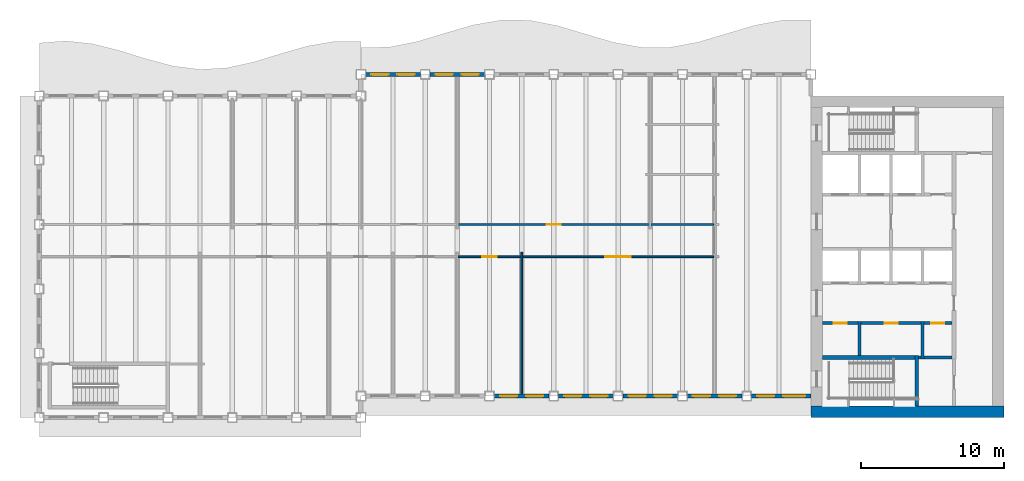
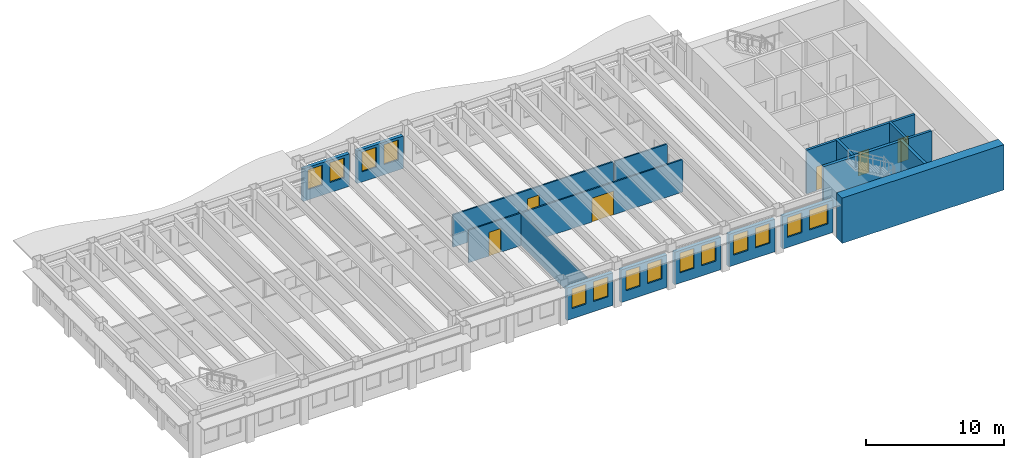
# One storey, part 4 of 12: 22 walls, 14 windows, 6 doors, 20 openings.
"""IFC4 building model written with IfcOpenShell, lengths in metres."""

from ifc_helpers import new_model, si_unit, direction, frame, frame_2d, origin, place, context, subcontext, project, spatial, rectangle, extrude, material, layer, layer_set, type_object, element, fill, save


model = new_model("IFC4")

# Units and contexts
model_context = context("Model", 3, precision=1e-05, world=origin(), true_north=direction((0.0, 1.0)))
body_context = subcontext(model_context, "Body", "Model", "MODEL_VIEW")
ifc_project = project(units=[si_unit("LENGTHUNIT", "METRE"), si_unit("AREAUNIT", "SQUARE_METRE"), si_unit("VOLUMEUNIT", "CUBIC_METRE"), si_unit("PLANEANGLEUNIT", "RADIAN"), si_unit("MASSUNIT", "GRAM", prefix="KILO")], contexts=[model_context])

# Site, building, storey
site_placement = place(None, origin())
site = spatial("IfcSite", under=ifc_project, at=site_placement, CompositionType="ELEMENT")
building_placement = place(site_placement, origin())
building = spatial("IfcBuilding", under=site, at=building_placement, Name="Sennacour Bend Tower", CompositionType="ELEMENT")
storey_placement = place(building_placement, frame((0.0, 0.0, 265.0)))
storey = spatial("IfcBuildingStorey", under=building, at=storey_placement, Name="L61", CompositionType="ELEMENT", Elevation=265.0)

# Walls
ifc_material_1 = material(Name="Concrete C50/60", Category="concrete")
ifc_layer_1 = layer(ifc_material_1, 0.800048828125, Name="Concrete C50/60", Category="concrete")
ifc_layer_set_1 = layer_set([ifc_layer_1], Name="Concrete C50/60")
wall_type_1 = type_object("IfcWallType", Name="Core wall 800 C50/60", PredefinedType="SHEAR", material=ifc_layer_set_1)
wall_1_placement = place(storey_placement, frame((67.5, 0.39990234375, -0.14990234375), z_axis=(0.0, 0.0, 1.0), x_axis=(-1.0, 0.0, 0.0)))
element("IfcWall", 1, at=wall_1_placement, inside=storey, type_object=wall_type_1, Name="Core A wall L61 S", PredefinedType="SHEAR", context=body_context, shape_type="SweptSolid", body=[
    extrude(rectangle(XDim=13.5, YDim=0.800048828125, at=frame_2d((6.75, 0.0))), origin(), (0.0, 0.0, 1.0), 4.0),
])
ifc_material_2 = material(Name="Plasterboard partition on steel studs", Category="steel")
ifc_layer_2 = layer(ifc_material_2, 0.1201171875, Name="Plasterboard partition on steel studs", Category="steel")
ifc_layer_set_2 = layer_set([ifc_layer_2], Name="Plasterboard partition on steel studs")
wall_type_2 = type_object("IfcWallType", Name="Partition 120", PredefinedType="PARTITIONING", material=ifc_layer_set_2)
wall_2_placement = place(storey_placement, frame((33.75, 1.64990234375, 0.0), z_axis=(0.0, 0.0, 1.0), x_axis=(0.0, 1.0, 0.0)))
element("IfcWall", 2, at=wall_2_placement, inside=storey, type_object=wall_type_2, Name="P-L61-W012a", PredefinedType="PARTITIONING", context=body_context, shape_type="SweptSolid", body=[
    extrude(rectangle(XDim=9.900146484375, YDim=0.1201171875, at=frame_2d((4.9501953125, 0.0))), origin(), (0.0, 0.0, 1.0), 2.8701171875),
])

# Wall, opening, door
wall_3_placement = place(storey_placement, frame((29.31005859375, 11.25, 0.0), z_axis=(0.0, 0.0, 1.0), x_axis=(1.0, 0.0, 0.0)))
wall_3 = element("IfcWall", 3, at=wall_3_placement, inside=storey, type_object=wall_type_2, Name="P-L61-W039ae", PredefinedType="PARTITIONING", context=body_context, shape_type="SweptSolid", body=[
    extrude(rectangle(XDim=4.3798828125, YDim=0.1201171875, at=frame_2d((2.18994140625, 0.0))), origin(), (0.0, 0.0, 1.0), 2.8701171875),
])
opening_1_placement = place(wall_3_placement, frame((1.68994140625, 0.0, 0.0)))
opening_1 = element("IfcOpeningElement", 4, at=opening_1_placement, cuts=wall_3, Name="Opening OD2", PredefinedType="OPENING", context=body_context, shape_type="SweptSolid", body=[
    extrude(rectangle(XDim=1.0, YDim=2.10009765625, at=frame_2d((0.5, 1.050048828125))), frame((0.0, 0.070068359375, 0.0), z_axis=(0.0, -1.0, 0.0), x_axis=(1.0, 0.0, 0.0)), (0.0, 0.0, 1.0), 0.14013671875),
])
ifc_material_3 = material(Name="Timber", Category="wood")
door_type_1 = type_object("IfcDoorType", Name="DR-OFFICE-1000", OperationType="NOTDEFINED", PredefinedType="DOOR", material=ifc_material_3)
door_1_placement = place(opening_1_placement, origin())
door_1 = element("IfcDoor", 5, at=door_1_placement, inside=storey, type_object=door_type_1, Name="Door", OperationType="SINGLE_SWING_LEFT", OverallHeight=2.10009765625, OverallWidth=1.0, PredefinedType="DOOR", context=body_context, shape_type="SweptSolid", body=[
    extrude(rectangle(XDim=1.0, YDim=2.10009765625, at=frame_2d((0.5, 1.050048828125))), frame((0.0, 0.02490234375, 0.0), z_axis=(0.0, -1.0, 0.0), x_axis=(1.0, 0.0, 0.0)), (0.0, 0.0, 1.0), 0.050048828125),
])
fill(opening_1, door_1)

wall_4_placement = place(storey_placement, frame((33.81005859375, 11.25, 0.0), z_axis=(0.0, 0.0, 1.0), x_axis=(1.0, 0.0, 0.0)))
wall_4 = element("IfcWall", 6, at=wall_4_placement, inside=storey, type_object=wall_type_2, Name="P-L61-W039af", PredefinedType="PARTITIONING", context=body_context, shape_type="SweptSolid", body=[
    extrude(rectangle(XDim=13.3798828125, YDim=0.1201171875, at=frame_2d((6.68994140625, 0.0))), origin(), (0.0, 0.0, 1.0), 2.8701171875),
])
opening_2_placement = place(wall_4_placement, frame((5.789794921875, 0.0, 0.0)))
opening_2 = element("IfcOpeningElement", 7, at=opening_2_placement, cuts=wall_4, Name="Opening OD3", PredefinedType="OPENING", context=body_context, shape_type="SweptSolid", body=[
    extrude(rectangle(XDim=1.800048828125, YDim=2.10009765625, at=frame_2d((0.89990234375, 1.050048828125))), frame((0.0, 0.070068359375, 0.0), z_axis=(0.0, -1.0, 0.0), x_axis=(1.0, 0.0, 0.0)), (0.0, 0.0, 1.0), 0.14013671875),
])
door_type_2 = type_object("IfcDoorType", Name="DR-OFFICE-1800", OperationType="NOTDEFINED", PredefinedType="DOOR", material=ifc_material_3)
door_2_placement = place(opening_2_placement, origin())
door_2 = element("IfcDoor", 8, at=door_2_placement, inside=storey, type_object=door_type_2, Name="Door", OperationType="DOUBLE_DOOR_SINGLE_SWING", OverallHeight=2.10009765625, OverallWidth=1.800048828125, PredefinedType="DOOR", context=body_context, shape_type="SweptSolid", body=[
    extrude(rectangle(XDim=1.800048828125, YDim=2.10009765625, at=frame_2d((0.89990234375, 1.050048828125))), frame((0.0, 0.02490234375, 0.0), z_axis=(0.0, -1.0, 0.0), x_axis=(1.0, 0.0, 0.0)), (0.0, 0.0, 1.0), 0.050048828125),
])
fill(opening_2, door_2)

wall_5_placement = place(storey_placement, frame((29.31005859375, 13.5, 0.0), z_axis=(0.0, 0.0, 1.0), x_axis=(1.0, 0.0, 0.0)))
wall_5 = element("IfcWall", 9, at=wall_5_placement, inside=storey, type_object=wall_type_2, Name="P-L61-W041ae", PredefinedType="PARTITIONING", context=body_context, shape_type="SweptSolid", body=[
    extrude(rectangle(XDim=13.3798828125, YDim=0.1201171875, at=frame_2d((6.68994140625, 0.0))), origin(), (0.0, 0.0, 1.0), 2.8701171875),
])
opening_3_placement = place(wall_5_placement, frame((6.18994140625, 0.0, 0.0)))
opening_3 = element("IfcOpeningElement", 10, at=opening_3_placement, cuts=wall_5, Name="Opening OD2", PredefinedType="OPENING", context=body_context, shape_type="SweptSolid", body=[
    extrude(rectangle(XDim=1.0, YDim=2.10009765625, at=frame_2d((0.5, 1.050048828125))), frame((0.0, 0.070068359375, 0.0), z_axis=(0.0, -1.0, 0.0), x_axis=(1.0, 0.0, 0.0)), (0.0, 0.0, 1.0), 0.14013671875),
])
door_3_placement = place(opening_3_placement, origin())
door_3 = element("IfcDoor", 11, at=door_3_placement, inside=storey, type_object=door_type_1, Name="Door", OperationType="SINGLE_SWING_LEFT", OverallHeight=2.10009765625, OverallWidth=1.0, PredefinedType="DOOR", context=body_context, shape_type="SweptSolid", body=[
    extrude(rectangle(XDim=1.0, YDim=2.10009765625, at=frame_2d((0.5, 1.050048828125))), frame((0.0, 0.02490234375, 0.0), z_axis=(0.0, -1.0, 0.0), x_axis=(1.0, 0.0, 0.0)), (0.0, 0.0, 1.0), 0.050048828125),
])
fill(opening_3, door_3)

# Walls
wall_6_placement = place(storey_placement, frame((42.81005859375, 13.5, 0.0), z_axis=(0.0, 0.0, 1.0), x_axis=(1.0, 0.0, 0.0)))
element("IfcWall", 12, at=wall_6_placement, inside=storey, type_object=wall_type_2, Name="P-L61-W041af", PredefinedType="PARTITIONING", context=body_context, shape_type="SweptSolid", body=[
    extrude(rectangle(XDim=4.3798828125, YDim=0.1201171875, at=frame_2d((2.18994140625, 0.0))), origin(), (0.0, 0.0, 1.0), 2.8701171875),
])
ifc_material_4 = material(Name="Fire-rated plasterboard partition on steel studs", Category="steel")
ifc_layer_3 = layer(ifc_material_4, 0.199951171875, Name="Fire-rated plasterboard partition on steel studs", Category="steel")
ifc_layer_set_3 = layer_set([ifc_layer_3], Name="Fire-rated plasterboard partition on steel studs")
wall_type_3 = type_object("IfcWallType", Name="Rated partition 200", PredefinedType="PARTITIONING", material=ifc_layer_set_3)
wall_7_placement = place(storey_placement, frame((57.39990234375, 4.324951171875, 0.0), z_axis=(0.0, 0.0, 1.0), x_axis=(0.0, 1.0, 0.0)))
element("IfcWall", 13, at=wall_7_placement, inside=storey, type_object=wall_type_3, Name="P-L61-W016", PredefinedType="PARTITIONING", context=body_context, shape_type="SweptSolid", body=[
    extrude(rectangle(XDim=2.375, YDim=0.199951171875, at=frame_2d((1.1875, 0.0))), origin(), (0.0, 0.0, 1.0), 3.85009765625),
])
wall_8_placement = place(storey_placement, frame((61.800048828125, 4.10009765625, 0.0), z_axis=(0.0, 0.0, 1.0), x_axis=(0.0, 1.0, 0.0)))
element("IfcWall", 14, at=wall_8_placement, inside=storey, type_object=wall_type_3, Name="P-L61-W024", PredefinedType="PARTITIONING", context=body_context, shape_type="SweptSolid", body=[
    extrude(rectangle(XDim=2.599853515625, YDim=0.199951171875, at=frame_2d((1.2998046875, 0.0))), origin(), (0.0, 0.0, 1.0), 3.85009765625),
])
wall_9_placement = place(storey_placement, frame((61.52490234375, 4.199951171875, 0.0), z_axis=(0.0, 0.0, 1.0), x_axis=(1.0, 0.0, 0.0)))
element("IfcWall", 15, at=wall_9_placement, inside=storey, type_object=wall_type_3, Name="P-L61-W036a", PredefinedType="PARTITIONING", context=body_context, shape_type="SweptSolid", body=[
    extrude(rectangle(XDim=0.175048828125, YDim=0.199951171875, at=frame_2d((0.08740234375, 0.0))), origin(), (0.0, 0.0, 1.0), 3.85009765625),
])
wall_10_placement = place(storey_placement, frame((61.89990234375, 4.199951171875, 0.0), z_axis=(0.0, 0.0, 1.0), x_axis=(1.0, 0.0, 0.0)))
element("IfcWall", 16, at=wall_10_placement, inside=storey, type_object=wall_type_3, Name="P-L61-W036b", PredefinedType="PARTITIONING", context=body_context, shape_type="SweptSolid", body=[
    extrude(rectangle(XDim=1.9501953125, YDim=0.199951171875, at=frame_2d((0.97509765625, 0.0))), origin(), (0.0, 0.0, 1.0), 3.85009765625),
])

# Wall, opening, door
wall_11_placement = place(storey_placement, frame((54.800048828125, 6.60009765625, 0.0), z_axis=(0.0, 0.0, 1.0), x_axis=(1.0, 0.0, 0.0)))
wall_11 = element("IfcWall", 17, at=wall_11_placement, inside=storey, type_object=wall_type_3, Name="P-L61-W037a", PredefinedType="PARTITIONING", context=body_context, shape_type="SweptSolid", body=[
    extrude(rectangle(XDim=2.5, YDim=0.199951171875, at=frame_2d((1.25, 0.0))), origin(), (0.0, 0.0, 1.0), 3.85009765625),
])
opening_4_placement = place(wall_11_placement, frame((0.800048828125, 0.0, 0.0)))
opening_4 = element("IfcOpeningElement", 18, at=opening_4_placement, cuts=wall_11, Name="Opening SV", PredefinedType="OPENING", context=body_context, shape_type="SweptSolid", body=[
    extrude(rectangle(XDim=0.89990234375, YDim=2.10009765625, at=frame_2d((0.449951171875, 1.050048828125))), frame((0.0, 0.10986328125, 0.0), z_axis=(0.0, -1.0, 0.0), x_axis=(1.0, 0.0, 0.0)), (0.0, 0.0, 1.0), 0.219970703125),
])
ifc_material_5 = material(Name="Painted steel", Category="steel")
door_type_3 = type_object("IfcDoorType", Name="DR-SERVICE-900", OperationType="NOTDEFINED", PredefinedType="DOOR", material=ifc_material_5)
door_4_placement = place(opening_4_placement, origin())
door_4 = element("IfcDoor", 19, at=door_4_placement, inside=storey, type_object=door_type_3, Name="Door", OperationType="SINGLE_SWING_LEFT", OverallHeight=2.10009765625, OverallWidth=0.89990234375, PredefinedType="DOOR", context=body_context, shape_type="SweptSolid", body=[
    extrude(rectangle(XDim=0.89990234375, YDim=2.10009765625, at=frame_2d((0.449951171875, 1.050048828125))), frame((0.0, 0.02490234375, 0.0), z_axis=(0.0, -1.0, 0.0), x_axis=(1.0, 0.0, 0.0)), (0.0, 0.0, 1.0), 0.050048828125),
])
fill(opening_4, door_4)

wall_12_placement = place(storey_placement, frame((57.5, 6.60009765625, 0.0), z_axis=(0.0, 0.0, 1.0), x_axis=(1.0, 0.0, 0.0)))
wall_12 = element("IfcWall", 20, at=wall_12_placement, inside=storey, type_object=wall_type_3, Name="P-L61-W037b", PredefinedType="PARTITIONING", context=body_context, shape_type="SweptSolid", body=[
    extrude(rectangle(XDim=4.199951171875, YDim=0.199951171875, at=frame_2d((2.10009765625, 0.0))), origin(), (0.0, 0.0, 1.0), 3.85009765625),
])
opening_5_placement = place(wall_12_placement, frame((1.64990234375, 0.0, 0.0)))
opening_5 = element("IfcOpeningElement", 21, at=opening_5_placement, cuts=wall_12, Name="Opening WD", PredefinedType="OPENING", context=body_context, shape_type="SweptSolid", body=[
    extrude(rectangle(XDim=0.89990234375, YDim=2.10009765625, at=frame_2d((0.449951171875, 1.050048828125))), frame((0.0, 0.10986328125, 0.0), z_axis=(0.0, -1.0, 0.0), x_axis=(1.0, 0.0, 0.0)), (0.0, 0.0, 1.0), 0.219970703125),
])
door_type_4 = type_object("IfcDoorType", Name="DR-WC-900", OperationType="NOTDEFINED", PredefinedType="DOOR", material=ifc_material_3)
door_5_placement = place(opening_5_placement, origin())
door_5 = element("IfcDoor", 22, at=door_5_placement, inside=storey, type_object=door_type_4, Name="Door", OperationType="SINGLE_SWING_RIGHT", OverallHeight=2.10009765625, OverallWidth=0.89990234375, PredefinedType="DOOR", context=body_context, shape_type="SweptSolid", body=[
    extrude(rectangle(XDim=0.89990234375, YDim=2.10009765625, at=frame_2d((0.449951171875, 1.050048828125))), frame((0.0, 0.02490234375, 0.0), z_axis=(0.0, -1.0, 0.0), x_axis=(1.0, 0.0, 0.0)), (0.0, 0.0, 1.0), 0.050048828125),
])
fill(opening_5, door_5)

wall_13_placement = place(storey_placement, frame((61.89990234375, 6.60009765625, 0.0), z_axis=(0.0, 0.0, 1.0), x_axis=(1.0, 0.0, 0.0)))
wall_13 = element("IfcWall", 23, at=wall_13_placement, inside=storey, type_object=wall_type_3, Name="P-L61-W037c", PredefinedType="PARTITIONING", context=body_context, shape_type="SweptSolid", body=[
    extrude(rectangle(XDim=1.9501953125, YDim=0.199951171875, at=frame_2d((0.97509765625, 0.0))), origin(), (0.0, 0.0, 1.0), 3.85009765625),
])
opening_6_placement = place(wall_13_placement, frame((0.525146484375, 0.0, 0.0)))
opening_6 = element("IfcOpeningElement", 24, at=opening_6_placement, cuts=wall_13, Name="Opening SV", PredefinedType="OPENING", context=body_context, shape_type="SweptSolid", body=[
    extrude(rectangle(XDim=0.89990234375, YDim=2.10009765625, at=frame_2d((0.449951171875, 1.050048828125))), frame((0.0, 0.10986328125, 0.0), z_axis=(0.0, -1.0, 0.0), x_axis=(1.0, 0.0, 0.0)), (0.0, 0.0, 1.0), 0.219970703125),
])
door_6_placement = place(opening_6_placement, origin())
door_6 = element("IfcDoor", 25, at=door_6_placement, inside=storey, type_object=door_type_3, Name="Door", OperationType="SINGLE_SWING_LEFT", OverallHeight=2.10009765625, OverallWidth=0.89990234375, PredefinedType="DOOR", context=body_context, shape_type="SweptSolid", body=[
    extrude(rectangle(XDim=0.89990234375, YDim=2.10009765625, at=frame_2d((0.449951171875, 1.050048828125))), frame((0.0, 0.02490234375, 0.0), z_axis=(0.0, -1.0, 0.0), x_axis=(1.0, 0.0, 0.0)), (0.0, 0.0, 1.0), 0.050048828125),
])
fill(opening_6, door_6)

# Wall, openings, windows
ifc_material_6 = material(Name="Warm limestone cladding", Category="masonry")
ifc_layer_4 = layer(ifc_material_6, 0.050048828125, Name="Warm limestone cladding", Category="masonry")
ifc_material_7 = material(Name="Precast concrete C40/50", Category="concrete")
ifc_layer_5 = layer(ifc_material_7, 0.25, Name="Precast concrete C40/50", Category="concrete")
ifc_layer_set_4 = layer_set([ifc_layer_4, ifc_layer_5], Name="Precast concrete C40/50 with limestone cladding")
wall_type_4 = type_object("IfcWallType", Name="STONE-CLAD PRECAST SPANDREL 300", PredefinedType="STANDARD", material=ifc_layer_set_4)
wall_14_placement = place(storey_placement, frame((31.824951171875, 1.5, 0.0), z_axis=(0.0, 0.0, 1.0), x_axis=(1.0, 0.0, 0.0)))
wall_14 = element("IfcWall", 26, at=wall_14_placement, inside=storey, type_object=wall_type_4, Name="Stone spandrel and pier wall L61 01.02", PredefinedType="STANDARD", context=body_context, shape_type="SweptSolid", body=[
    extrude(rectangle(XDim=3.85009765625, YDim=0.300048828125, at=frame_2d((1.925048828125, 0.0))), origin(), (0.0, 0.0, 1.0), 2.8701171875),
])
opening_7_placement = place(wall_14_placement, frame((0.41259765625, 0.0, 0.89990234375)))
opening_7 = element("IfcOpeningElement", 27, at=opening_7_placement, cuts=wall_14, Name="Opening W16", PredefinedType="OPENING", context=body_context, shape_type="SweptSolid", body=[
    extrude(rectangle(XDim=1.199951171875, YDim=1.75, at=frame_2d((0.60009765625, 0.875))), frame((0.0, 0.16015625, 0.0), z_axis=(0.0, -1.0, 0.0), x_axis=(1.0, 0.0, 0.0)), (0.0, 0.0, 1.0), 0.320068359375),
])
opening_8_placement = place(wall_14_placement, frame((2.237548828125, 0.0, 0.89990234375)))
opening_8 = element("IfcOpeningElement", 28, at=opening_8_placement, cuts=wall_14, Name="Opening W16", PredefinedType="OPENING", context=body_context, shape_type="SweptSolid", body=[
    extrude(rectangle(XDim=1.199951171875, YDim=1.75, at=frame_2d((0.60009765625, 0.875))), frame((0.0, 0.16015625, 0.0), z_axis=(0.0, -1.0, 0.0), x_axis=(1.0, 0.0, 0.0)), (0.0, 0.0, 1.0), 0.320068359375),
])
ifc_material_8 = material(Name="Clear low-emissivity glass", Category="glass")
window_type_1 = type_object("IfcWindowType", Name="WIN-RIBBON-1200x1750", PartitioningType="SINGLE_PANEL", PredefinedType="WINDOW", material=ifc_material_8)
window_1_placement = place(opening_7_placement, origin())
window_1 = element("IfcWindow", 29, at=window_1_placement, inside=storey, type_object=window_type_1, Name="Ribbon window L61 01.02.0", OverallHeight=1.75, OverallWidth=1.199951171875, PartitioningType="SINGLE_PANEL", PredefinedType="WINDOW", context=body_context, shape_type="SweptSolid", body=[
    extrude(rectangle(XDim=1.199951171875, YDim=1.75, at=frame_2d((0.60009765625, 0.875))), frame((0.0, 0.030029296875, 0.0), z_axis=(0.0, -1.0, 0.0), x_axis=(1.0, 0.0, 0.0)), (0.0, 0.0, 1.0), 0.06005859375),
])
fill(opening_7, window_1)
window_2_placement = place(opening_8_placement, origin())
window_2 = element("IfcWindow", 30, at=window_2_placement, inside=storey, type_object=window_type_1, Name="Ribbon window L61 01.02.1", OverallHeight=1.75, OverallWidth=1.199951171875, PartitioningType="SINGLE_PANEL", PredefinedType="WINDOW", context=body_context, shape_type="SweptSolid", body=[
    extrude(rectangle(XDim=1.199951171875, YDim=1.75, at=frame_2d((0.60009765625, 0.875))), frame((0.0, 0.030029296875, 0.0), z_axis=(0.0, -1.0, 0.0), x_axis=(1.0, 0.0, 0.0)), (0.0, 0.0, 1.0), 0.06005859375),
])
fill(opening_8, window_2)

wall_15_placement = place(storey_placement, frame((36.324951171875, 1.5, 0.0), z_axis=(0.0, 0.0, 1.0), x_axis=(1.0, 0.0, 0.0)))
wall_15 = element("IfcWall", 31, at=wall_15_placement, inside=storey, type_object=wall_type_4, Name="Stone spandrel and pier wall L61 01.03", PredefinedType="STANDARD", context=body_context, shape_type="SweptSolid", body=[
    extrude(rectangle(XDim=3.85009765625, YDim=0.300048828125, at=frame_2d((1.925048828125, 0.0))), origin(), (0.0, 0.0, 1.0), 2.8701171875),
])
opening_9_placement = place(wall_15_placement, frame((0.41259765625, 0.0, 0.89990234375)))
opening_9 = element("IfcOpeningElement", 32, at=opening_9_placement, cuts=wall_15, Name="Opening W16", PredefinedType="OPENING", context=body_context, shape_type="SweptSolid", body=[
    extrude(rectangle(XDim=1.199951171875, YDim=1.75, at=frame_2d((0.60009765625, 0.875))), frame((0.0, 0.16015625, 0.0), z_axis=(0.0, -1.0, 0.0), x_axis=(1.0, 0.0, 0.0)), (0.0, 0.0, 1.0), 0.320068359375),
])
opening_10_placement = place(wall_15_placement, frame((2.237548828125, 0.0, 0.89990234375)))
opening_10 = element("IfcOpeningElement", 33, at=opening_10_placement, cuts=wall_15, Name="Opening W16", PredefinedType="OPENING", context=body_context, shape_type="SweptSolid", body=[
    extrude(rectangle(XDim=1.199951171875, YDim=1.75, at=frame_2d((0.60009765625, 0.875))), frame((0.0, 0.16015625, 0.0), z_axis=(0.0, -1.0, 0.0), x_axis=(1.0, 0.0, 0.0)), (0.0, 0.0, 1.0), 0.320068359375),
])
window_3_placement = place(opening_9_placement, origin())
window_3 = element("IfcWindow", 34, at=window_3_placement, inside=storey, type_object=window_type_1, Name="Ribbon window L61 01.03.0", OverallHeight=1.75, OverallWidth=1.199951171875, PartitioningType="SINGLE_PANEL", PredefinedType="WINDOW", context=body_context, shape_type="SweptSolid", body=[
    extrude(rectangle(XDim=1.199951171875, YDim=1.75, at=frame_2d((0.60009765625, 0.875))), frame((0.0, 0.030029296875, 0.0), z_axis=(0.0, -1.0, 0.0), x_axis=(1.0, 0.0, 0.0)), (0.0, 0.0, 1.0), 0.06005859375),
])
fill(opening_9, window_3)
window_4_placement = place(opening_10_placement, origin())
window_4 = element("IfcWindow", 35, at=window_4_placement, inside=storey, type_object=window_type_1, Name="Ribbon window L61 01.03.1", OverallHeight=1.75, OverallWidth=1.199951171875, PartitioningType="SINGLE_PANEL", PredefinedType="WINDOW", context=body_context, shape_type="SweptSolid", body=[
    extrude(rectangle(XDim=1.199951171875, YDim=1.75, at=frame_2d((0.60009765625, 0.875))), frame((0.0, 0.030029296875, 0.0), z_axis=(0.0, -1.0, 0.0), x_axis=(1.0, 0.0, 0.0)), (0.0, 0.0, 1.0), 0.06005859375),
])
fill(opening_10, window_4)

wall_16_placement = place(storey_placement, frame((40.824951171875, 1.5, 0.0), z_axis=(0.0, 0.0, 1.0), x_axis=(1.0, 0.0, 0.0)))
wall_16 = element("IfcWall", 36, at=wall_16_placement, inside=storey, type_object=wall_type_4, Name="Stone spandrel and pier wall L61 01.04", PredefinedType="STANDARD", context=body_context, shape_type="SweptSolid", body=[
    extrude(rectangle(XDim=3.85009765625, YDim=0.300048828125, at=frame_2d((1.925048828125, 0.0))), origin(), (0.0, 0.0, 1.0), 2.8701171875),
])
opening_11_placement = place(wall_16_placement, frame((0.41259765625, 0.0, 0.89990234375)))
opening_11 = element("IfcOpeningElement", 37, at=opening_11_placement, cuts=wall_16, Name="Opening W16", PredefinedType="OPENING", context=body_context, shape_type="SweptSolid", body=[
    extrude(rectangle(XDim=1.199951171875, YDim=1.75, at=frame_2d((0.60009765625, 0.875))), frame((0.0, 0.16015625, 0.0), z_axis=(0.0, -1.0, 0.0), x_axis=(1.0, 0.0, 0.0)), (0.0, 0.0, 1.0), 0.320068359375),
])
opening_12_placement = place(wall_16_placement, frame((2.237548828125, 0.0, 0.89990234375)))
opening_12 = element("IfcOpeningElement", 38, at=opening_12_placement, cuts=wall_16, Name="Opening W16", PredefinedType="OPENING", context=body_context, shape_type="SweptSolid", body=[
    extrude(rectangle(XDim=1.199951171875, YDim=1.75, at=frame_2d((0.60009765625, 0.875))), frame((0.0, 0.16015625, 0.0), z_axis=(0.0, -1.0, 0.0), x_axis=(1.0, 0.0, 0.0)), (0.0, 0.0, 1.0), 0.320068359375),
])
window_5_placement = place(opening_11_placement, origin())
window_5 = element("IfcWindow", 39, at=window_5_placement, inside=storey, type_object=window_type_1, Name="Ribbon window L61 01.04.0", OverallHeight=1.75, OverallWidth=1.199951171875, PartitioningType="SINGLE_PANEL", PredefinedType="WINDOW", context=body_context, shape_type="SweptSolid", body=[
    extrude(rectangle(XDim=1.199951171875, YDim=1.75, at=frame_2d((0.60009765625, 0.875))), frame((0.0, 0.030029296875, 0.0), z_axis=(0.0, -1.0, 0.0), x_axis=(1.0, 0.0, 0.0)), (0.0, 0.0, 1.0), 0.06005859375),
])
fill(opening_11, window_5)
window_6_placement = place(opening_12_placement, origin())
window_6 = element("IfcWindow", 40, at=window_6_placement, inside=storey, type_object=window_type_1, Name="Ribbon window L61 01.04.1", OverallHeight=1.75, OverallWidth=1.199951171875, PartitioningType="SINGLE_PANEL", PredefinedType="WINDOW", context=body_context, shape_type="SweptSolid", body=[
    extrude(rectangle(XDim=1.199951171875, YDim=1.75, at=frame_2d((0.60009765625, 0.875))), frame((0.0, 0.030029296875, 0.0), z_axis=(0.0, -1.0, 0.0), x_axis=(1.0, 0.0, 0.0)), (0.0, 0.0, 1.0), 0.06005859375),
])
fill(opening_12, window_6)

wall_17_placement = place(storey_placement, frame((45.324951171875, 1.5, 0.0), z_axis=(0.0, 0.0, 1.0), x_axis=(1.0, 0.0, 0.0)))
wall_17 = element("IfcWall", 41, at=wall_17_placement, inside=storey, type_object=wall_type_4, Name="Stone spandrel and pier wall L61 01.05", PredefinedType="STANDARD", context=body_context, shape_type="SweptSolid", body=[
    extrude(rectangle(XDim=3.85009765625, YDim=0.300048828125, at=frame_2d((1.925048828125, 0.0))), origin(), (0.0, 0.0, 1.0), 2.8701171875),
])
opening_13_placement = place(wall_17_placement, frame((0.41259765625, 0.0, 0.89990234375)))
opening_13 = element("IfcOpeningElement", 42, at=opening_13_placement, cuts=wall_17, Name="Opening W16", PredefinedType="OPENING", context=body_context, shape_type="SweptSolid", body=[
    extrude(rectangle(XDim=1.199951171875, YDim=1.75, at=frame_2d((0.60009765625, 0.875))), frame((0.0, 0.16015625, 0.0), z_axis=(0.0, -1.0, 0.0), x_axis=(1.0, 0.0, 0.0)), (0.0, 0.0, 1.0), 0.320068359375),
])
opening_14_placement = place(wall_17_placement, frame((2.237548828125, 0.0, 0.89990234375)))
opening_14 = element("IfcOpeningElement", 43, at=opening_14_placement, cuts=wall_17, Name="Opening W16", PredefinedType="OPENING", context=body_context, shape_type="SweptSolid", body=[
    extrude(rectangle(XDim=1.199951171875, YDim=1.75, at=frame_2d((0.60009765625, 0.875))), frame((0.0, 0.16015625, 0.0), z_axis=(0.0, -1.0, 0.0), x_axis=(1.0, 0.0, 0.0)), (0.0, 0.0, 1.0), 0.320068359375),
])
window_7_placement = place(opening_13_placement, origin())
window_7 = element("IfcWindow", 44, at=window_7_placement, inside=storey, type_object=window_type_1, Name="Ribbon window L61 01.05.0", OverallHeight=1.75, OverallWidth=1.199951171875, PartitioningType="SINGLE_PANEL", PredefinedType="WINDOW", context=body_context, shape_type="SweptSolid", body=[
    extrude(rectangle(XDim=1.199951171875, YDim=1.75, at=frame_2d((0.60009765625, 0.875))), frame((0.0, 0.030029296875, 0.0), z_axis=(0.0, -1.0, 0.0), x_axis=(1.0, 0.0, 0.0)), (0.0, 0.0, 1.0), 0.06005859375),
])
fill(opening_13, window_7)
window_8_placement = place(opening_14_placement, origin())
window_8 = element("IfcWindow", 45, at=window_8_placement, inside=storey, type_object=window_type_1, Name="Ribbon window L61 01.05.1", OverallHeight=1.75, OverallWidth=1.199951171875, PartitioningType="SINGLE_PANEL", PredefinedType="WINDOW", context=body_context, shape_type="SweptSolid", body=[
    extrude(rectangle(XDim=1.199951171875, YDim=1.75, at=frame_2d((0.60009765625, 0.875))), frame((0.0, 0.030029296875, 0.0), z_axis=(0.0, -1.0, 0.0), x_axis=(1.0, 0.0, 0.0)), (0.0, 0.0, 1.0), 0.06005859375),
])
fill(opening_14, window_8)

wall_18_placement = place(storey_placement, frame((49.824951171875, 1.5, 0.0), z_axis=(0.0, 0.0, 1.0), x_axis=(1.0, 0.0, 0.0)))
wall_18 = element("IfcWall", 46, at=wall_18_placement, inside=storey, type_object=wall_type_4, Name="Stone spandrel and pier wall L61 01.06", PredefinedType="STANDARD", context=body_context, shape_type="SweptSolid", body=[
    extrude(rectangle(XDim=4.175048828125, YDim=0.300048828125, at=frame_2d((2.08740234375, 0.0))), origin(), (0.0, 0.0, 1.0), 2.8701171875),
])
opening_15_placement = place(wall_18_placement, frame((0.41259765625, 0.0, 0.89990234375)))
opening_15 = element("IfcOpeningElement", 47, at=opening_15_placement, cuts=wall_18, Name="Opening W16", PredefinedType="OPENING", context=body_context, shape_type="SweptSolid", body=[
    extrude(rectangle(XDim=1.199951171875, YDim=1.75, at=frame_2d((0.60009765625, 0.875))), frame((0.0, 0.16015625, 0.0), z_axis=(0.0, -1.0, 0.0), x_axis=(1.0, 0.0, 0.0)), (0.0, 0.0, 1.0), 0.320068359375),
])
opening_16_placement = place(wall_18_placement, frame((2.22509765625, 0.0, 0.89990234375)))
opening_16 = element("IfcOpeningElement", 48, at=opening_16_placement, cuts=wall_18, Name="Opening W12", PredefinedType="OPENING", context=body_context, shape_type="SweptSolid", body=[
    extrude(rectangle(XDim=1.550048828125, YDim=1.75, at=frame_2d((0.77490234375, 0.875))), frame((0.0, 0.16015625, 0.0), z_axis=(0.0, -1.0, 0.0), x_axis=(1.0, 0.0, 0.0)), (0.0, 0.0, 1.0), 0.320068359375),
])
window_9_placement = place(opening_15_placement, origin())
window_9 = element("IfcWindow", 49, at=window_9_placement, inside=storey, type_object=window_type_1, Name="Ribbon window L61 01.06.0", OverallHeight=1.75, OverallWidth=1.199951171875, PartitioningType="SINGLE_PANEL", PredefinedType="WINDOW", context=body_context, shape_type="SweptSolid", body=[
    extrude(rectangle(XDim=1.199951171875, YDim=1.75, at=frame_2d((0.60009765625, 0.875))), frame((0.0, 0.030029296875, 0.0), z_axis=(0.0, -1.0, 0.0), x_axis=(1.0, 0.0, 0.0)), (0.0, 0.0, 1.0), 0.06005859375),
])
fill(opening_15, window_9)
window_type_2 = type_object("IfcWindowType", Name="WIN-RIBBON-1550x1750", PartitioningType="SINGLE_PANEL", PredefinedType="WINDOW", material=ifc_material_8)
window_10_placement = place(opening_16_placement, origin())
window_10 = element("IfcWindow", 50, at=window_10_placement, inside=storey, type_object=window_type_2, Name="Ribbon window L61 01.06.1", OverallHeight=1.75, OverallWidth=1.550048828125, PartitioningType="SINGLE_PANEL", PredefinedType="WINDOW", context=body_context, shape_type="SweptSolid", body=[
    extrude(rectangle(XDim=1.550048828125, YDim=1.75, at=frame_2d((0.77490234375, 0.875))), frame((0.0, 0.030029296875, 0.0), z_axis=(0.0, -1.0, 0.0), x_axis=(1.0, 0.0, 0.0)), (0.0, 0.0, 1.0), 0.06005859375),
])
fill(opening_16, window_10)

wall_19_placement = place(storey_placement, frame((31.175048828125, 24.0, 0.0), z_axis=(0.0, 0.0, 1.0), x_axis=(-1.0, 0.0, 0.0)))
wall_19 = element("IfcWall", 51, at=wall_19_placement, inside=storey, type_object=wall_type_4, Name="Stone spandrel and pier wall L61 07.05", PredefinedType="STANDARD", context=body_context, shape_type="SweptSolid", body=[
    extrude(rectangle(XDim=3.85009765625, YDim=0.300048828125, at=frame_2d((1.925048828125, 0.0))), origin(), (0.0, 0.0, 1.0), 2.8701171875),
])
opening_17_placement = place(wall_19_placement, frame((0.41259765625, 0.0, 0.89990234375)))
opening_17 = element("IfcOpeningElement", 52, at=opening_17_placement, cuts=wall_19, Name="Opening W16", PredefinedType="OPENING", context=body_context, shape_type="SweptSolid", body=[
    extrude(rectangle(XDim=1.199951171875, YDim=1.75, at=frame_2d((0.60009765625, 0.875))), frame((0.0, 0.16015625, 0.0), z_axis=(0.0, -1.0, 0.0), x_axis=(1.0, 0.0, 0.0)), (0.0, 0.0, 1.0), 0.320068359375),
])
opening_18_placement = place(wall_19_placement, frame((2.237548828125, 0.0, 0.89990234375)))
opening_18 = element("IfcOpeningElement", 53, at=opening_18_placement, cuts=wall_19, Name="Opening W16", PredefinedType="OPENING", context=body_context, shape_type="SweptSolid", body=[
    extrude(rectangle(XDim=1.199951171875, YDim=1.75, at=frame_2d((0.60009765625, 0.875))), frame((0.0, 0.16015625, 0.0), z_axis=(0.0, -1.0, 0.0), x_axis=(1.0, 0.0, 0.0)), (0.0, 0.0, 1.0), 0.320068359375),
])
window_11_placement = place(opening_17_placement, origin())
window_11 = element("IfcWindow", 54, at=window_11_placement, inside=storey, type_object=window_type_1, Name="Ribbon window L61 07.05.0", OverallHeight=1.75, OverallWidth=1.199951171875, PartitioningType="SINGLE_PANEL", PredefinedType="WINDOW", context=body_context, shape_type="SweptSolid", body=[
    extrude(rectangle(XDim=1.199951171875, YDim=1.75, at=frame_2d((0.60009765625, 0.875))), frame((0.0, 0.030029296875, 0.0), z_axis=(0.0, -1.0, 0.0), x_axis=(1.0, 0.0, 0.0)), (0.0, 0.0, 1.0), 0.06005859375),
])
fill(opening_17, window_11)
window_12_placement = place(opening_18_placement, origin())
window_12 = element("IfcWindow", 55, at=window_12_placement, inside=storey, type_object=window_type_1, Name="Ribbon window L61 07.05.1", OverallHeight=1.75, OverallWidth=1.199951171875, PartitioningType="SINGLE_PANEL", PredefinedType="WINDOW", context=body_context, shape_type="SweptSolid", body=[
    extrude(rectangle(XDim=1.199951171875, YDim=1.75, at=frame_2d((0.60009765625, 0.875))), frame((0.0, 0.030029296875, 0.0), z_axis=(0.0, -1.0, 0.0), x_axis=(1.0, 0.0, 0.0)), (0.0, 0.0, 1.0), 0.06005859375),
])
fill(opening_18, window_12)

wall_20_placement = place(storey_placement, frame((26.675048828125, 24.0, 0.0), z_axis=(0.0, 0.0, 1.0), x_axis=(-1.0, 0.0, 0.0)))
wall_20 = element("IfcWall", 56, at=wall_20_placement, inside=storey, type_object=wall_type_4, Name="Stone spandrel and pier wall L61 07.06", PredefinedType="STANDARD", context=body_context, shape_type="SweptSolid", body=[
    extrude(rectangle(XDim=3.85009765625, YDim=0.300048828125, at=frame_2d((1.925048828125, 0.0))), origin(), (0.0, 0.0, 1.0), 2.8701171875),
])
opening_19_placement = place(wall_20_placement, frame((0.41259765625, 0.0, 0.89990234375)))
opening_19 = element("IfcOpeningElement", 57, at=opening_19_placement, cuts=wall_20, Name="Opening W16", PredefinedType="OPENING", context=body_context, shape_type="SweptSolid", body=[
    extrude(rectangle(XDim=1.199951171875, YDim=1.75, at=frame_2d((0.60009765625, 0.875))), frame((0.0, 0.16015625, 0.0), z_axis=(0.0, -1.0, 0.0), x_axis=(1.0, 0.0, 0.0)), (0.0, 0.0, 1.0), 0.320068359375),
])
opening_20_placement = place(wall_20_placement, frame((2.237548828125, 0.0, 0.89990234375)))
opening_20 = element("IfcOpeningElement", 58, at=opening_20_placement, cuts=wall_20, Name="Opening W16", PredefinedType="OPENING", context=body_context, shape_type="SweptSolid", body=[
    extrude(rectangle(XDim=1.199951171875, YDim=1.75, at=frame_2d((0.60009765625, 0.875))), frame((0.0, 0.16015625, 0.0), z_axis=(0.0, -1.0, 0.0), x_axis=(1.0, 0.0, 0.0)), (0.0, 0.0, 1.0), 0.320068359375),
])
window_13_placement = place(opening_19_placement, origin())
window_13 = element("IfcWindow", 59, at=window_13_placement, inside=storey, type_object=window_type_1, Name="Ribbon window L61 07.06.0", OverallHeight=1.75, OverallWidth=1.199951171875, PartitioningType="SINGLE_PANEL", PredefinedType="WINDOW", context=body_context, shape_type="SweptSolid", body=[
    extrude(rectangle(XDim=1.199951171875, YDim=1.75, at=frame_2d((0.60009765625, 0.875))), frame((0.0, 0.030029296875, 0.0), z_axis=(0.0, -1.0, 0.0), x_axis=(1.0, 0.0, 0.0)), (0.0, 0.0, 1.0), 0.06005859375),
])
fill(opening_19, window_13)
window_14_placement = place(opening_20_placement, origin())
window_14 = element("IfcWindow", 60, at=window_14_placement, inside=storey, type_object=window_type_1, Name="Ribbon window L61 07.06.1", OverallHeight=1.75, OverallWidth=1.199951171875, PartitioningType="SINGLE_PANEL", PredefinedType="WINDOW", context=body_context, shape_type="SweptSolid", body=[
    extrude(rectangle(XDim=1.199951171875, YDim=1.75, at=frame_2d((0.60009765625, 0.875))), frame((0.0, 0.030029296875, 0.0), z_axis=(0.0, -1.0, 0.0), x_axis=(1.0, 0.0, 0.0)), (0.0, 0.0, 1.0), 0.06005859375),
])
fill(opening_20, window_14)

# Walls
ifc_material_9 = material(Name="Concrete C60/75", Category="concrete")
ifc_layer_6 = layer(ifc_material_9, 0.25, Name="Concrete C60/75", Category="concrete")
ifc_layer_set_5 = layer_set([ifc_layer_6], Name="Concrete C60/75")
wall_type_5 = type_object("IfcWallType", Name="Stair wall 250", PredefinedType="SHEAR", material=ifc_layer_set_5)
wall_21_placement = place(storey_placement, frame((61.39990234375, 0.800048828125, 0.0), z_axis=(0.0, 0.0, 1.0), x_axis=(0.0, 1.0, 0.0)))
element("IfcWall", 61, at=wall_21_placement, inside=storey, type_object=wall_type_5, Name="P-L61-W022", PredefinedType="SHEAR", context=body_context, shape_type="SweptSolid", body=[
    extrude(rectangle(XDim=3.52490234375, YDim=0.25, at=frame_2d((1.762451171875, 0.0))), origin(), (0.0, 0.0, 1.0), 3.85009765625),
])
wall_22_placement = place(storey_placement, frame((54.800048828125, 4.199951171875, 0.0), z_axis=(0.0, 0.0, 1.0), x_axis=(1.0, 0.0, 0.0)))
element("IfcWall", 62, at=wall_22_placement, inside=storey, type_object=wall_type_5, Name="P-L61-W035", PredefinedType="SHEAR", context=body_context, shape_type="SweptSolid", body=[
    extrude(rectangle(XDim=6.474853515625, YDim=0.25, at=frame_2d((3.2373046875, 0.0))), origin(), (0.0, 0.0, 1.0), 3.85009765625),
])

save(model, "model.ifc")
